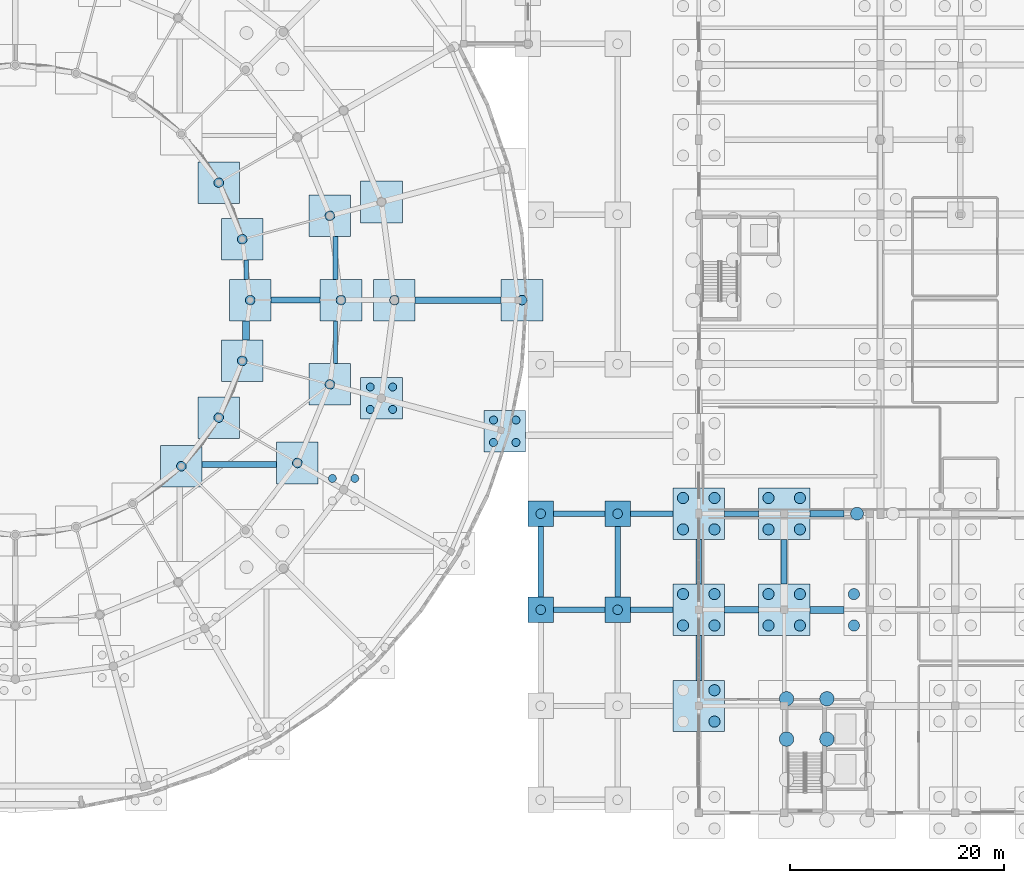
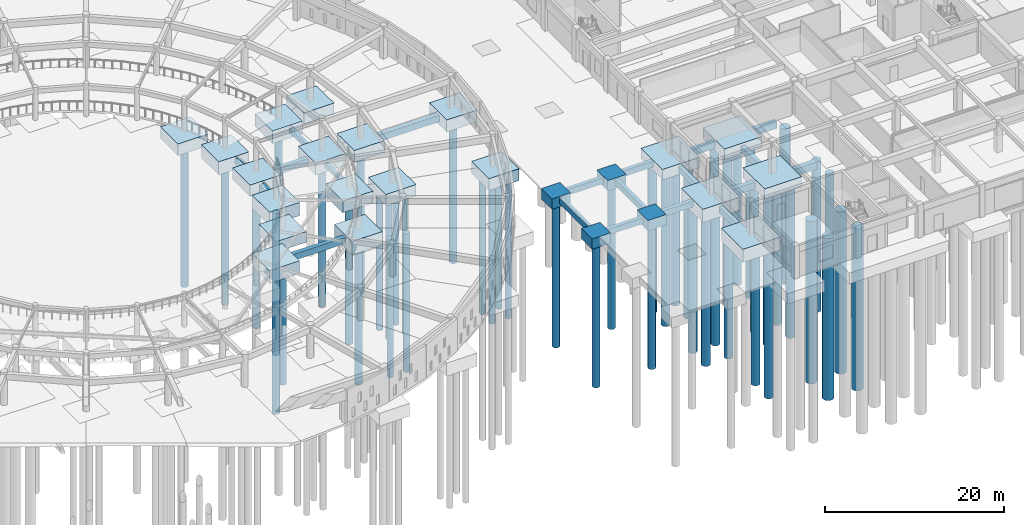
# One storey, part 3 of 84: 51 piles, 44 footings.
"""IFC4 building model written with IfcOpenShell, lengths in metres."""

import ifcopenshell
import ifcopenshell.guid

model = None  # the IFC model being written
_history = None  # IfcOwnerHistory: only IFC2X3 demands one
_inside = {}  # id of a spatial element -> (the spatial element, [elements in it])
_under = {}  # id of a project, library or spatial element -> (it, [spatial elements below it])
_declared = {}  # id of a project -> (the project, [libraries it declares])
_typed = {}  # id of a type object -> (the type object, [elements of that type])
_made_of = {}  # id of a material, layer set ... -> (it, [elements and type objects made of it])


def new_model(schema):
    """Start an empty IFC model of exactly this schema.

    Asked for "IFC4X3", IfcOpenShell would pick the latest addendum, in which some entities
    have other attributes; the version numbers below select the first issue.
    IFC2X3 requires an IfcOwnerHistory on every rooted entity: one is made here for all.
    """
    global model, _history
    if schema == "IFC4X3":
        model = ifcopenshell.file(schema_version=(4, 3, 0, 0))
    else:
        model = ifcopenshell.file(schema=schema)
    _inside.clear()
    _under.clear()
    _declared.clear()
    _typed.clear()
    _made_of.clear()
    _history = None
    if model.schema == "IFC2X3":
        org = make("IfcOrganization", Name="unknown")
        user = make(
            "IfcPersonAndOrganization",
            ThePerson=make("IfcPerson", FamilyName="unknown"),
            TheOrganization=org,
        )
        app = make(
            "IfcApplication",
            ApplicationDeveloper=org,
            Version="unknown",
            ApplicationFullName="unknown",
            ApplicationIdentifier="unknown",
        )
        _history = make(
            "IfcOwnerHistory",
            OwningUser=user,
            OwningApplication=app,
            ChangeAction="ADDED",
            CreationDate=0,
        )
    return model


def make(cls, **values):
    """One entity of the class cls with the attributes given. An attribute that is None is left unset."""
    return model.create_entity(
        cls, **{name: value for name, value in values.items() if value is not None}
    )


def rooted(cls, **values):
    """An entity with a GlobalId (a new one), such as an element, a storey or a relation."""
    return make(cls, GlobalId=ifcopenshell.guid.new(), OwnerHistory=_history, **values)


def si_unit(unit_type, name, prefix=None):
    """IfcSIUnit, for example si_unit("LENGTHUNIT", "METRE", prefix="MILLI")."""
    return make("IfcSIUnit", UnitType=unit_type, Prefix=prefix, Name=name)


def assignment(units):
    """IfcUnitAssignment: the units of a project."""
    return None if units is None else make("IfcUnitAssignment", Units=units)


def point(xyz):
    """IfcCartesianPoint."""
    return None if xyz is None else make("IfcCartesianPoint", Coordinates=xyz)


def direction(xyz):
    """IfcDirection."""
    return None if xyz is None else make("IfcDirection", DirectionRatios=xyz)


def frame(location, z_axis=None, x_axis=None):
    """IfcAxis2Placement3D, a coordinate frame: its origin and axes. An axis left out is left unset."""
    return make(
        "IfcAxis2Placement3D",
        Location=point(location),
        Axis=direction(z_axis),
        RefDirection=direction(x_axis),
    )


def frame_2d(location, x_axis=None):
    """IfcAxis2Placement2D, a coordinate frame in the plane: its origin and x axis."""
    return make(
        "IfcAxis2Placement2D", Location=point(location), RefDirection=direction(x_axis)
    )


def origin():
    """The frame at (0, 0, 0) with its axes left unset."""
    return frame((0.0, 0.0, 0.0))


def origin_2d():
    """The frame at (0, 0) in the plane with its x axis left unset."""
    return frame_2d((0.0, 0.0))


def place(relative_to, where):
    """IfcLocalPlacement: puts the frame where relative to a parent placement (None: the world)."""
    return make(
        "IfcLocalPlacement", PlacementRelTo=relative_to, RelativePlacement=where
    )


def context(
    kind, dimensions, precision=None, world=None, true_north=None, identifier=None
):
    """IfcGeometricRepresentationContext, for example the 3D "Model" context."""
    return make(
        "IfcGeometricRepresentationContext",
        ContextIdentifier=identifier,
        ContextType=kind,
        CoordinateSpaceDimension=dimensions,
        Precision=precision,
        WorldCoordinateSystem=world,
        TrueNorth=true_north,
    )


def subcontext(parent, identifier, kind, view, scale=None):
    """IfcGeometricRepresentationSubContext, for example "Body" below "Model"."""
    return make(
        "IfcGeometricRepresentationSubContext",
        ContextIdentifier=identifier,
        ContextType=kind,
        ParentContext=parent,
        TargetScale=scale,
        TargetView=view,
    )


def project(units=None, contexts=None):
    """IfcProject with its units and contexts."""
    return rooted(
        "IfcProject",
        Name="project",
        RepresentationContexts=contexts,
        UnitsInContext=assignment(units),
    )


def spatial(cls, under=None, at=None, **own):
    """A site, building, storey or space (cls), placed at a placement, below another one or the project."""
    s = rooted(cls, ObjectPlacement=at, **own)
    if under is not None:
        _under.setdefault(under.id(), (under, []))[1].append(s)
    return s


def profile(cls, at=None, kind="AREA", **sizes):
    """A parametric profile (cls). Its sizes go by their IFC names, for example OverallWidth=200.0."""
    return make(cls, ProfileType=kind, Position=at, **sizes)


def rectangle(**sizes):
    """IfcRectangleProfileDef."""
    return profile("IfcRectangleProfileDef", **sizes)


def circle(**sizes):
    """IfcCircleProfileDef."""
    return profile("IfcCircleProfileDef", **sizes)


def extrude(swept, where, along, depth):
    """IfcExtrudedAreaSolid: the profile swept, set in the frame where, extruded along a direction by depth."""
    return make(
        "IfcExtrudedAreaSolid",
        SweptArea=swept,
        Position=where,
        ExtrudedDirection=direction(along),
        Depth=depth,
    )


def shape(context_of_items, identifier, shape_type, items):
    """IfcShapeRepresentation: the items that make up one representation, for example the "Body"."""
    return make(
        "IfcShapeRepresentation",
        ContextOfItems=context_of_items,
        RepresentationIdentifier=identifier,
        RepresentationType=shape_type,
        Items=items,
    )


def material(Name=None, Category=None):
    """IfcMaterial."""
    return make("IfcMaterial", Name=Name, Category=Category)


def material_profile(
    of_material, cross_section, Name=None, Category=None, Priority=None
):
    """IfcMaterialProfile: a cross section and its material."""
    return make(
        "IfcMaterialProfile",
        Name=Name,
        Material=of_material,
        Profile=cross_section,
        Priority=Priority,
        Category=Category,
    )


def profile_set(profiles, Name=None, composite=None):
    """IfcMaterialProfileSet."""
    return make(
        "IfcMaterialProfileSet",
        Name=Name,
        MaterialProfiles=profiles,
        CompositeProfile=composite,
    )


def made_of(thing, what):
    """Note that an element or type object is made of a material, layer set ...; save() writes the relation."""
    if what is not None:
        _made_of.setdefault(what.id(), (what, []))[1].append(thing)
    return thing


def type_object(cls, material=None, **own):
    """A type object (cls), such as IfcWallType, which elements share."""
    return made_of(rooted(cls, **own), material)


def element(
    cls,
    number,
    at=None,
    inside=None,
    cuts=None,
    type_object=None,
    material=None,
    context=None,
    identifier="Body",
    shape_type=None,
    held_by="IfcProductDefinitionShape",
    body=None,
    shapes=None,
    **own,
):
    """One element of the class cls, such as IfcWall. Its Tag is "e" and its number.

    at: its placement. inside: the storey or other place that contains it. cuts: it is an
    opening in that element (IfcRelVoidsElement). A single representation is given by context,
    identifier, shape_type and body (its items); several are given by shapes. held_by: the class
    of the entity that holds the representations. save() writes the other relations.
    """
    e = rooted(cls, Tag="e%d" % number, ObjectPlacement=at, **own)
    if body is not None:
        shapes = [shape(context, identifier, shape_type, body)]
    if shapes is not None:
        e.Representation = make(held_by, Representations=shapes)
    if inside is not None:
        _inside.setdefault(inside.id(), (inside, []))[1].append(e)
    if cuts is not None:
        rooted(
            "IfcRelVoidsElement", RelatingBuildingElement=cuts, RelatedOpeningElement=e
        )
    if type_object is not None:
        _typed.setdefault(type_object.id(), (type_object, []))[1].append(e)
    return made_of(e, material)


def aggregate(whole, parts):
    """IfcRelAggregates: a whole, such as a stair, and the parts it consists of."""
    return rooted("IfcRelAggregates", RelatingObject=whole, RelatedObjects=parts)


def save(model, path):
    """Write the relations noted so far, then the file.

    IfcRelAggregates (storeys below a building ...), IfcRelContainedInSpatialStructure (elements
    in a storey), IfcRelDefinesByType, IfcRelAssociatesMaterial and IfcRelDeclares: one each for
    every whole, place, type object, material and project.
    """
    for whole, parts in _under.values():
        aggregate(whole, parts)
    for where, things in _inside.values():
        rooted(
            "IfcRelContainedInSpatialStructure",
            RelatedElements=things,
            RelatingStructure=where,
        )
    for kind, things in _typed.values():
        rooted("IfcRelDefinesByType", RelatedObjects=things, RelatingType=kind)
    for what, things in _made_of.values():
        rooted("IfcRelAssociatesMaterial", RelatedObjects=things, RelatingMaterial=what)
    for by, libraries in _declared.values():
        rooted("IfcRelDeclares", RelatingContext=by, RelatedDefinitions=libraries)
    model.write(path)


model = new_model("IFC4")

# Units and contexts
model_context = context("Model", 3, precision=1e-05, world=origin(), true_north=direction((0.0, 1.0)))
body_context = subcontext(model_context, "Body", "Model", "MODEL_VIEW")
ifc_project = project(units=[si_unit("LENGTHUNIT", "METRE"), si_unit("AREAUNIT", "SQUARE_METRE"), si_unit("VOLUMEUNIT", "CUBIC_METRE"), si_unit("PLANEANGLEUNIT", "RADIAN"), si_unit("MASSUNIT", "GRAM", prefix="KILO")], contexts=[model_context])

# Site, building, storey
site_placement = place(None, origin())
site = spatial("IfcSite", under=ifc_project, at=site_placement, CompositionType="ELEMENT")
building_placement = place(site_placement, origin())
building = spatial("IfcBuilding", under=site, at=building_placement, Name="Larkveld Mobility Hub", CompositionType="ELEMENT")
storey_placement = place(building_placement, origin())
storey = spatial("IfcBuildingStorey", under=building, at=storey_placement, Name="L00", CompositionType="ELEMENT", Elevation=0.0)

# Footings
ifc_material = material(Name="Concrete C35/45", Category="concrete")
ifc_material_profile_1 = material_profile(ifc_material, rectangle(XDim=0.39990234375, YDim=0.60009765625, at=origin_2d()), Name="RC BM 400x600")
ifc_profile_set_1 = profile_set([ifc_material_profile_1], Name="Concrete C35/45")
footing_type_1 = type_object("IfcFootingType", Name="FT-FB01", PredefinedType="FOOTING_BEAM", material=ifc_profile_set_1)
footing_1_placement = place(storey_placement, frame((69.625, 49.949951171875, -0.64990234375), z_axis=(0.0, 1.0, 0.0), x_axis=(-1.0, 0.0, 0.0)))
element("IfcFooting", 1, at=footing_1_placement, inside=storey, type_object=footing_type_1, Name="Ground Tie Beam GB-127", PredefinedType="FOOTING_BEAM", context=body_context, shape_type="SweptSolid", body=[
    extrude(rectangle(XDim=0.39990234375, YDim=0.60009765625, at=origin_2d()), origin(), (0.0, 0.0, 1.0), 1.7939453125),
])
footing_2_placement = place(storey_placement, frame((77.98095703125, 42.055908203125, -0.64990234375), z_axis=(0.0, 1.0, 0.0), x_axis=(-1.0, 0.0, 0.0)))
element("IfcFooting", 2, at=footing_2_placement, inside=storey, type_object=footing_type_1, Name="Ground Tie Beam GB-133", PredefinedType="FOOTING_BEAM", context=body_context, shape_type="SweptSolid", body=[
    extrude(rectangle(XDim=0.39990234375, YDim=0.60009765625, at=origin_2d()), origin(), (0.0, 0.0, 1.0), 3.994140625),
])
ifc_material_profile_2 = material_profile(ifc_material, rectangle(XDim=0.449951171875, YDim=0.699951171875, at=origin_2d()), Name="RC BM 450x700")
ifc_profile_set_2 = profile_set([ifc_material_profile_2], Name="Concrete C35/45")
footing_type_2 = type_object("IfcFootingType", Name="FT-FB02", PredefinedType="FOOTING_BEAM", material=ifc_profile_set_2)
footing_3_placement = place(storey_placement, frame((77.98095703125, 49.949951171875, -0.699951171875), z_axis=(0.0, 1.0, 0.0), x_axis=(-1.0, 0.0, 0.0)))
element("IfcFooting", 3, at=footing_3_placement, inside=storey, type_object=footing_type_2, Name="Ground Tie Beam GB-134", PredefinedType="FOOTING_BEAM", context=body_context, shape_type="SweptSolid", body=[
    extrude(rectangle(XDim=0.449951171875, YDim=0.699951171875, at=origin_2d()), origin(), (0.0, 0.0, 1.0), 3.994140625),
])
ifc_material_profile_3 = material_profile(ifc_material, rectangle(XDim=0.5, YDim=0.800048828125, at=origin_2d()), Name="RC BM 500x800")
ifc_profile_set_3 = profile_set([ifc_material_profile_3], Name="Concrete C35/45")
footing_type_3 = type_object("IfcFootingType", Name="FT-FB03", PredefinedType="FOOTING_BEAM", material=ifc_profile_set_3)
footing_4_placement = place(storey_placement, frame((112.0, 12.39990234375, -0.75), z_axis=(0.0, 1.0, 0.0), x_axis=(-1.0, 0.0, 0.0)))
element("IfcFooting", 4, at=footing_4_placement, inside=storey, type_object=footing_type_3, Name="Ground Tie Beam GB-141", PredefinedType="FOOTING_BEAM", context=body_context, shape_type="SweptSolid", body=[
    extrude(rectangle(XDim=0.5, YDim=0.800048828125, at=origin_2d()), origin(), (0.0, 0.0, 1.0), 4.2001953125),
])
footing_5_placement = place(storey_placement, frame((98.39990234375, 19.0, -0.580078125), z_axis=(1.0, 0.0, 0.0), x_axis=(0.0, 1.0, 0.0)))
element("IfcFooting", 5, at=footing_5_placement, inside=storey, type_object=footing_type_3, Name="Passage Ground Tie Beam PGB-004", PredefinedType="FOOTING_BEAM", context=body_context, shape_type="SweptSolid", body=[
    extrude(rectangle(XDim=0.5, YDim=0.800048828125, at=origin_2d()), origin(), (0.0, 0.0, 1.0), 4.800048828125),
])
footing_6_placement = place(storey_placement, frame((105.60009765625, 19.0, -0.580078125), z_axis=(1.0, 0.0, 0.0), x_axis=(0.0, 1.0, 0.0)))
element("IfcFooting", 6, at=footing_6_placement, inside=storey, type_object=footing_type_3, Name="Passage Ground Tie Beam PGB-005", PredefinedType="FOOTING_BEAM", context=body_context, shape_type="SweptSolid", body=[
    extrude(rectangle(XDim=0.5, YDim=0.800048828125, at=origin_2d()), origin(), (0.0, 0.0, 1.0), 4.0),
])
footing_7_placement = place(storey_placement, frame((98.39990234375, 28.0, -0.580078125), z_axis=(1.0, 0.0, 0.0), x_axis=(0.0, 1.0, 0.0)))
element("IfcFooting", 7, at=footing_7_placement, inside=storey, type_object=footing_type_3, Name="Passage Ground Tie Beam PGB-006", PredefinedType="FOOTING_BEAM", context=body_context, shape_type="SweptSolid", body=[
    extrude(rectangle(XDim=0.5, YDim=0.800048828125, at=origin_2d()), origin(), (0.0, 0.0, 1.0), 4.800048828125),
])
footing_8_placement = place(storey_placement, frame((105.60009765625, 28.0, -0.580078125), z_axis=(1.0, 0.0, 0.0), x_axis=(0.0, 1.0, 0.0)))
element("IfcFooting", 8, at=footing_8_placement, inside=storey, type_object=footing_type_3, Name="Passage Ground Tie Beam PGB-007", PredefinedType="FOOTING_BEAM", context=body_context, shape_type="SweptSolid", body=[
    extrude(rectangle(XDim=0.5, YDim=0.800048828125, at=origin_2d()), origin(), (0.0, 0.0, 1.0), 4.0),
])
for number, where, z_axis, x_axis, name in (
    (9, (97.199951171875, 20.199951171875, -0.580078125), (0.0, 1.0, 0.0), (-1.0, 0.0, 0.0), "Passage Ground Tie Beam PGB-022"),
    (10, (104.39990234375, 20.199951171875, -0.580078125), (0.0, 1.0, 0.0), (-1.0, 0.0, 0.0), "Passage Ground Tie Beam PGB-025"),
):
    element("IfcFooting", number, at=place(storey_placement, frame(where, z_axis=z_axis, x_axis=x_axis)), inside=storey, type_object=footing_type_3, Name=name, PredefinedType="FOOTING_BEAM", context=body_context, shape_type="SweptSolid", body=[
        extrude(rectangle(XDim=0.5, YDim=0.800048828125, at=origin_2d()), origin(), (0.0, 0.0, 1.0), 6.60009765625),
    ])
ifc_material_profile_4 = material_profile(ifc_material, rectangle(XDim=0.550048828125, YDim=0.85009765625, at=origin_2d()), Name="RC BM 550x850")
ifc_profile_set_4 = profile_set([ifc_material_profile_4], Name="Concrete C35/45")
footing_type_4 = type_object("IfcFootingType", Name="FT-FB04", PredefinedType="FOOTING_BEAM", material=ifc_profile_set_4)
footing_9_placement = place(storey_placement, frame((114.39990234375, 28.0, -0.77490234375), z_axis=(1.0, 0.0, 0.0), x_axis=(0.0, 1.0, 0.0)))
element("IfcFooting", 11, at=footing_9_placement, inside=storey, type_object=footing_type_4, Name="Ground Tie Beam GB-022", PredefinedType="FOOTING_BEAM", context=body_context, shape_type="SweptSolid", body=[
    extrude(rectangle(XDim=0.550048828125, YDim=0.85009765625, at=origin_2d()), origin(), (0.0, 0.0, 1.0), 3.2001953125),
])
footing_10_placement = place(storey_placement, frame((65.506103515625, 32.596923828125, -0.77490234375), z_axis=(1.0, 0.0, 0.0), x_axis=(0.0, 1.0, 0.0)))
element("IfcFooting", 12, at=footing_10_placement, inside=storey, type_object=footing_type_4, Name="Ground Tie Beam GB-028", PredefinedType="FOOTING_BEAM", context=body_context, shape_type="SweptSolid", body=[
    extrude(rectangle(XDim=0.550048828125, YDim=0.85009765625, at=origin_2d()), origin(), (0.0, 0.0, 1.0), 6.9580078125),
])
footing_11_placement = place(storey_placement, frame((71.949951171875, 48.0, -0.77490234375), z_axis=(1.0, 0.0, 0.0), x_axis=(0.0, 1.0, 0.0)))
element("IfcFooting", 13, at=footing_11_placement, inside=storey, type_object=footing_type_4, Name="Ground Tie Beam GB-034", PredefinedType="FOOTING_BEAM", context=body_context, shape_type="SweptSolid", body=[
    extrude(rectangle(XDim=0.550048828125, YDim=0.85009765625, at=origin_2d()), origin(), (0.0, 0.0, 1.0), 4.60009765625),
])
for number, where, z_axis, x_axis, name in (
    (14, (112.0, 21.39990234375, -0.77490234375), (0.0, 1.0, 0.0), (-1.0, 0.0, 0.0), "Ground Tie Beam GB-142"),
    (15, (120.0, 21.39990234375, -0.77490234375), (0.0, 1.0, 0.0), (-1.0, 0.0, 0.0), "Ground Tie Beam GB-154"),
):
    element("IfcFooting", number, at=place(storey_placement, frame(where, z_axis=z_axis, x_axis=x_axis)), inside=storey, type_object=footing_type_4, Name=name, PredefinedType="FOOTING_BEAM", context=body_context, shape_type="SweptSolid", body=[
        extrude(rectangle(XDim=0.550048828125, YDim=0.85009765625, at=origin_2d()), origin(), (0.0, 0.0, 1.0), 4.2001953125),
    ])
ifc_material_profile_5 = material_profile(ifc_material, rectangle(XDim=0.60009765625, YDim=0.89990234375, at=origin_2d()), Name="RC BM 600x900")
ifc_profile_set_5 = profile_set([ifc_material_profile_5], Name="Concrete C35/45")
footing_type_5 = type_object("IfcFootingType", Name="FT-FB05", PredefinedType="FOOTING_BEAM", material=ifc_profile_set_5)
for number, where, z_axis, x_axis, name in (
    (16, (114.39990234375, 19.0, -0.800048828125), (1.0, 0.0, 0.0), (0.0, 1.0, 0.0), "Ground Tie Beam GB-011"),
    (17, (122.39990234375, 28.0, -0.800048828125), (1.0, 0.0, 0.0), (0.0, 1.0, 0.0), "Ground Tie Beam GB-023"),
):
    element("IfcFooting", number, at=place(storey_placement, frame(where, z_axis=z_axis, x_axis=x_axis)), inside=storey, type_object=footing_type_5, Name=name, PredefinedType="FOOTING_BEAM", context=body_context, shape_type="SweptSolid", body=[
        extrude(rectangle(XDim=0.60009765625, YDim=0.89990234375, at=origin_2d()), origin(), (0.0, 0.0, 1.0), 3.2001953125),
    ])
footing_12_placement = place(storey_placement, frame((85.449951171875, 48.0, -0.800048828125), z_axis=(1.0, 0.0, 0.0), x_axis=(0.0, 1.0, 0.0)))
element("IfcFooting", 18, at=footing_12_placement, inside=storey, type_object=footing_type_5, Name="Ground Tie Beam GB-035", PredefinedType="FOOTING_BEAM", context=body_context, shape_type="SweptSolid", body=[
    extrude(rectangle(XDim=0.60009765625, YDim=0.89990234375, at=origin_2d()), origin(), (0.0, 0.0, 1.0), 8.050048828125),
])
ifc_material_profile_6 = material_profile(ifc_material, rectangle(XDim=0.64990234375, YDim=1.0, at=origin_2d()), Name="RC BM 650x1000")
ifc_profile_set_6 = profile_set([ifc_material_profile_6], Name="Concrete C35/45")
footing_type_6 = type_object("IfcFootingType", Name="FT-FB06", PredefinedType="FOOTING_BEAM", material=ifc_profile_set_6)
footing_13_placement = place(storey_placement, frame((122.39990234375, 19.0, -0.85009765625), z_axis=(1.0, 0.0, 0.0), x_axis=(0.0, 1.0, 0.0)))
element("IfcFooting", 19, at=footing_13_placement, inside=storey, type_object=footing_type_6, Name="Ground Tie Beam GB-012", PredefinedType="FOOTING_BEAM", context=body_context, shape_type="SweptSolid", body=[
    extrude(rectangle(XDim=0.64990234375, YDim=1.0, at=origin_2d()), origin(), (0.0, 0.0, 1.0), 3.2001953125),
])
footing_14_placement = place(storey_placement, frame((69.625, 44.256103515625, -0.85009765625), z_axis=(0.0, 1.0, 0.0), x_axis=(-1.0, 0.0, 0.0)))
element("IfcFooting", 20, at=footing_14_placement, inside=storey, type_object=footing_type_6, Name="Ground Tie Beam GB-126", PredefinedType="FOOTING_BEAM", context=body_context, shape_type="SweptSolid", body=[
    extrude(rectangle(XDim=0.64990234375, YDim=1.0, at=origin_2d()), origin(), (0.0, 0.0, 1.0), 1.7939453125),
])
footing_type_7 = type_object("IfcFootingType", Name="FT-PC02", PredefinedType="PILE_CAP", material=ifc_material)
footing_15_placement = place(storey_placement, frame((67.052978515625, 37.0, -1.4501953125), z_axis=(0.0, 0.0, 1.0), x_axis=(1.0, 0.0, 0.0)))
element("IfcFooting", 21, at=footing_15_placement, inside=storey, type_object=footing_type_7, Name="Pile Cap PC-066", PredefinedType="PILE_CAP", context=body_context, shape_type="SweptSolid", body=[
    extrude(rectangle(XDim=3.89990234375, YDim=3.89990234375, at=origin_2d()), origin(), (0.0, 0.0, 1.0), 1.449951171875),
])
footing_type_8 = type_object("IfcFootingType", Name="FT-PC03", PredefinedType="PILE_CAP", material=ifc_material)
footing_16_placement = place(storey_placement, frame((82.2900390625, 57.18798828125, -1.5), z_axis=(0.0, 0.0, 1.0), x_axis=(1.0, 0.0, 0.0)))
element("IfcFooting", 22, at=footing_16_placement, inside=storey, type_object=footing_type_8, Name="Pile Cap PC-099", PredefinedType="PILE_CAP", context=body_context, shape_type="SweptSolid", body=[
    extrude(rectangle(XDim=3.89990234375, YDim=3.89990234375, at=origin_2d()), origin(), (0.0, 0.0, 1.0), 1.5),
])
footing_type_9 = type_object("IfcFootingType", Name="FT-PC04", PredefinedType="PILE_CAP", material=ifc_material)
for number, where, z_axis, x_axis, name in (
    (23, (82.2900390625, 38.81201171875, -1.5498046875), (0.0, 0.0, 1.0), (1.0, 0.0, 0.0), "Pile Cap PC-068"),
    (24, (70.0, 48.0, -1.5498046875), (0.0, 0.0, 1.0), (1.0, 0.0, 0.0), "Pile Cap PC-084"),
):
    element("IfcFooting", number, at=place(storey_placement, frame(where, z_axis=z_axis, x_axis=x_axis)), inside=storey, type_object=footing_type_9, Name=name, PredefinedType="PILE_CAP", context=body_context, shape_type="SweptSolid", body=[
        extrude(rectangle(XDim=3.89990234375, YDim=3.89990234375, at=origin_2d()), origin(), (0.0, 0.0, 1.0), 1.550048828125),
    ])
footing_type_10 = type_object("IfcFootingType", Name="FT-PC05", PredefinedType="PILE_CAP", material=ifc_material)
for number, where, z_axis, x_axis, name in (
    (25, (78.5, 48.0, -1.60009765625), (0.0, 0.0, 1.0), (1.0, 0.0, 0.0), "Pile Cap PC-085"),
    (26, (67.052978515625, 59.0, -1.60009765625), (0.0, 0.0, 1.0), (1.0, 0.0, 0.0), "Pile Cap PC-101"),
):
    element("IfcFooting", number, at=place(storey_placement, frame(where, z_axis=z_axis, x_axis=x_axis)), inside=storey, type_object=footing_type_10, Name=name, PredefinedType="PILE_CAP", context=body_context, shape_type="SweptSolid", body=[
        extrude(rectangle(XDim=3.89990234375, YDim=3.89990234375, at=origin_2d()), origin(), (0.0, 0.0, 1.0), 1.60009765625),
    ])
footing_type_11 = type_object("IfcFootingType", Name="FT-PC06", PredefinedType="PILE_CAP", material=ifc_material)
for number, where, z_axis, x_axis, name in (
    (27, (77.4609375, 40.10595703125, -1.60009765625), (0.0, 0.0, 1.0), (1.0, 0.0, 0.0), "Pile Cap PC-070"),
    (28, (83.5, 48.0, -1.60009765625), (0.0, 0.0, 1.0), (1.0, 0.0, 0.0), "Pile Cap PC-086"),
):
    element("IfcFooting", number, at=place(storey_placement, frame(where, z_axis=z_axis, x_axis=x_axis)), inside=storey, type_object=footing_type_11, Name=name, PredefinedType="PILE_CAP", context=body_context, shape_type="SweptSolid", body=[
        extrude(rectangle(XDim=3.89990234375, YDim=3.89990234375, at=origin_2d()), origin(), (0.0, 0.0, 1.0), 1.60009765625),
    ])
footing_type_12 = type_object("IfcFootingType", Name="FT-PC07", PredefinedType="PILE_CAP", material=ifc_material)
footing_17_placement = place(storey_placement, frame((95.449951171875, 48.0, -1.64990234375), z_axis=(0.0, 0.0, 1.0), x_axis=(1.0, 0.0, 0.0)))
element("IfcFooting", 29, at=footing_17_placement, inside=storey, type_object=footing_type_12, Name="Pile Cap PC-087", PredefinedType="PILE_CAP", context=body_context, shape_type="SweptSolid", body=[
    extrude(rectangle(XDim=3.89990234375, YDim=3.89990234375, at=origin_2d()), origin(), (0.0, 0.0, 1.0), 1.64990234375),
])
footing_type_13 = type_object("IfcFootingType", Name="FT-PC10", PredefinedType="PILE_CAP", material=ifc_material)
footing_18_placement = place(storey_placement, frame((63.555908203125, 32.444091796875, -1.75), z_axis=(0.0, 0.0, 1.0), x_axis=(1.0, 0.0, 0.0)))
element("IfcFooting", 30, at=footing_18_placement, inside=storey, type_object=footing_type_13, Name="Pile Cap PC-058", PredefinedType="PILE_CAP", context=body_context, shape_type="SweptSolid", body=[
    extrude(rectangle(XDim=3.89990234375, YDim=3.89990234375, at=origin_2d()), origin(), (0.0, 0.0, 1.0), 1.75),
])
footing_type_14 = type_object("IfcFootingType", Name="FT-PC12", PredefinedType="PILE_CAP", material=ifc_material)
for number, where, z_axis, x_axis, name in (
    (31, (112.0, 10.0, -1.7998046875), (0.0, 0.0, 1.0), (1.0, 0.0, 0.0), "Pile Cap PC-012"),
    (32, (112.0, 19.0, -1.7998046875), (0.0, 0.0, 1.0), (1.0, 0.0, 0.0), "Pile Cap PC-028"),
):
    element("IfcFooting", number, at=place(storey_placement, frame(where, z_axis=z_axis, x_axis=x_axis)), inside=storey, type_object=footing_type_14, Name=name, PredefinedType="PILE_CAP", context=body_context, shape_type="SweptSolid", body=[
        extrude(rectangle(XDim=4.800048828125, YDim=4.800048828125, at=origin_2d()), origin(), (0.0, 0.0, 1.0), 1.800048828125),
    ])
for number, where, z_axis, x_axis, name in (
    (33, (74.4140625, 32.75, -1.7998046875), (0.0, 0.0, 1.0), (1.0, 0.0, 0.0), "Pile Cap PC-060"),
    (34, (69.25, 42.305908203125, -1.7998046875), (0.0, 0.0, 1.0), (1.0, 0.0, 0.0), "Pile Cap PC-076"),
    (35, (69.25, 53.694091796875, -1.7998046875), (0.0, 0.0, 1.0), (1.0, 0.0, 0.0), "Pile Cap PC-092"),
):
    element("IfcFooting", number, at=place(storey_placement, frame(where, z_axis=z_axis, x_axis=x_axis)), inside=storey, type_object=footing_type_14, Name=name, PredefinedType="PILE_CAP", context=body_context, shape_type="SweptSolid", body=[
        extrude(rectangle(XDim=3.89990234375, YDim=3.89990234375, at=origin_2d()), origin(), (0.0, 0.0, 1.0), 1.800048828125),
    ])
footing_type_15 = type_object("IfcFootingType", Name="FT-PC13", PredefinedType="PILE_CAP", material=ifc_material)
for number, where, z_axis, x_axis, name in (
    (36, (120.0, 19.0, -1.419921875), (0.0, 0.0, 1.0), (1.0, 0.0, 0.0), "Pile Cap PC-029"),
    (37, (112.0, 28.0, -1.419921875), (0.0, 0.0, 1.0), (1.0, 0.0, 0.0), "Pile Cap PC-045"),
):
    element("IfcFooting", number, at=place(storey_placement, frame(where, z_axis=z_axis, x_axis=x_axis)), inside=storey, type_object=footing_type_15, Name=name, PredefinedType="PILE_CAP", context=body_context, shape_type="SweptSolid", body=[
        extrude(rectangle(XDim=4.800048828125, YDim=4.800048828125, at=origin_2d()), origin(), (0.0, 0.0, 1.0), 1.419921875),
    ])
for number, where, z_axis, x_axis, name in (
    (38, (97.199951171875, 19.0, -1.419921875), (0.0, 0.0, 1.0), (1.0, 0.0, 0.0), "Plinth Pile Cap PC-DL10"),
    (39, (104.39990234375, 19.0, -1.419921875), (0.0, 0.0, 1.0), (1.0, 0.0, 0.0), "Plinth Pile Cap PC-DL11"),
    (40, (97.199951171875, 28.0, -1.419921875), (0.0, 0.0, 1.0), (1.0, 0.0, 0.0), "Plinth Pile Cap PC-DL12"),
    (41, (104.39990234375, 28.0, -1.419921875), (0.0, 0.0, 1.0), (1.0, 0.0, 0.0), "Plinth Pile Cap PC-DL13"),
):
    element("IfcFooting", number, at=place(storey_placement, frame(where, z_axis=z_axis, x_axis=x_axis)), inside=storey, type_object=footing_type_15, Name=name, PredefinedType="PILE_CAP", context=body_context, shape_type="SweptSolid", body=[
        extrude(rectangle(XDim=2.39990234375, YDim=2.39990234375, at=origin_2d()), origin(), (0.0, 0.0, 1.0), 1.419921875),
    ])
footing_type_16 = type_object("IfcFootingType", Name="FT-PC14", PredefinedType="PILE_CAP", material=ifc_material)
footing_19_placement = place(storey_placement, frame((120.0, 28.0, -1.47998046875), z_axis=(0.0, 0.0, 1.0), x_axis=(1.0, 0.0, 0.0)))
element("IfcFooting", 42, at=footing_19_placement, inside=storey, type_object=footing_type_16, Name="Pile Cap PC-046", PredefinedType="PILE_CAP", context=body_context, shape_type="SweptSolid", body=[
    extrude(rectangle(XDim=4.800048828125, YDim=4.800048828125, at=origin_2d()), origin(), (0.0, 0.0, 1.0), 1.47998046875),
])
footing_type_17 = type_object("IfcFootingType", Name="FT-PC15", PredefinedType="PILE_CAP", material=ifc_material)
footing_20_placement = place(storey_placement, frame((93.8330078125, 35.718994140625, -1.6201171875), z_axis=(0.0, 0.0, 1.0), x_axis=(1.0, 0.0, 0.0)))
element("IfcFooting", 43, at=footing_20_placement, inside=storey, type_object=footing_type_17, Name="Pile Cap PC-063", PredefinedType="PILE_CAP", context=body_context, shape_type="SweptSolid", body=[
    extrude(rectangle(XDim=3.89990234375, YDim=3.89990234375, at=origin_2d()), origin(), (0.0, 0.0, 1.0), 1.6201171875),
])
footing_type_18 = type_object("IfcFootingType", Name="FT-PC16", PredefinedType="PILE_CAP", material=ifc_material)
footing_21_placement = place(storey_placement, frame((77.4609375, 55.89404296875, -1.72021484375), z_axis=(0.0, 0.0, 1.0), x_axis=(1.0, 0.0, 0.0)))
element("IfcFooting", 44, at=footing_21_placement, inside=storey, type_object=footing_type_18, Name="Pile Cap PC-096", PredefinedType="PILE_CAP", context=body_context, shape_type="SweptSolid", body=[
    extrude(rectangle(XDim=3.89990234375, YDim=3.89990234375, at=origin_2d()), origin(), (0.0, 0.0, 1.0), 1.719970703125),
])

# Piles
ifc_material_profile_7 = material_profile(ifc_material, circle(Radius=0.375, at=origin_2d()), Name="PILE D750")
ifc_profile_set_7 = profile_set([ifc_material_profile_7], Name="Concrete C35/45")
pile_type_1 = type_object("IfcPileType", Name="PL-B0750", PredefinedType="BORED", material=ifc_profile_set_7)
for number, where, z_axis, x_axis, name in (
    (45, (77.694091796875, 31.300048828125, -1.60009765625), (0.0, 0.0, -1.0), (1.0, 0.0, 0.0), "Bored Pile P-0188"),
    (46, (79.7939453125, 31.300048828125, -1.60009765625), (0.0, 0.0, -1.0), (1.0, 0.0, 0.0), "Bored Pile P-0190"),
):
    element("IfcPile", number, at=place(storey_placement, frame(where, z_axis=z_axis, x_axis=x_axis)), inside=storey, type_object=pile_type_1, Name=name, PredefinedType="BORED", context=body_context, shape_type="SweptSolid", body=[
        extrude(circle(Radius=0.375, at=origin_2d()), origin(), (0.0, 0.0, 1.0), 18.89990234375),
    ])
for number, where, z_axis, x_axis, name in (
    (47, (92.782958984375, 34.6689453125, -1.52001953125), (0.0, 0.0, -1.0), (1.0, 0.0, 0.0), "Bored Pile P-0203"),
    (48, (92.782958984375, 36.76904296875, -1.52001953125), (0.0, 0.0, -1.0), (1.0, 0.0, 0.0), "Bored Pile P-0204"),
    (49, (94.883056640625, 34.6689453125, -1.52001953125), (0.0, 0.0, -1.0), (1.0, 0.0, 0.0), "Bored Pile P-0205"),
    (50, (94.883056640625, 36.76904296875, -1.52001953125), (0.0, 0.0, -1.0), (1.0, 0.0, 0.0), "Bored Pile P-0206"),
):
    element("IfcPile", number, at=place(storey_placement, frame(where, z_axis=z_axis, x_axis=x_axis)), inside=storey, type_object=pile_type_1, Name=name, PredefinedType="BORED", context=body_context, shape_type="SweptSolid", body=[
        extrude(circle(Radius=0.375, at=origin_2d()), origin(), (0.0, 0.0, 1.0), 18.97998046875),
    ])
for number, where, z_axis, x_axis, name in (
    (51, (81.239990234375, 37.761962890625, -1.449951171875), (0.0, 0.0, -1.0), (1.0, 0.0, 0.0), "Bored Pile P-0214"),
    (52, (81.239990234375, 39.862060546875, -1.449951171875), (0.0, 0.0, -1.0), (1.0, 0.0, 0.0), "Bored Pile P-0215"),
    (53, (83.340087890625, 37.761962890625, -1.449951171875), (0.0, 0.0, -1.0), (1.0, 0.0, 0.0), "Bored Pile P-0216"),
    (54, (83.340087890625, 39.862060546875, -1.449951171875), (0.0, 0.0, -1.0), (1.0, 0.0, 0.0), "Bored Pile P-0217"),
):
    element("IfcPile", number, at=place(storey_placement, frame(where, z_axis=z_axis, x_axis=x_axis)), inside=storey, type_object=pile_type_1, Name=name, PredefinedType="BORED", context=body_context, shape_type="SweptSolid", body=[
        extrude(circle(Radius=0.375, at=origin_2d()), origin(), (0.0, 0.0, 1.0), 19.050048828125),
    ])
ifc_material_profile_8 = material_profile(ifc_material, circle(Radius=0.449951171875, at=origin_2d()), Name="PILE D900")
ifc_profile_set_8 = profile_set([ifc_material_profile_8], Name="Concrete C35/45")
pile_type_2 = type_object("IfcPileType", Name="PL-B0900", PredefinedType="BORED", material=ifc_profile_set_8)
pile_1_placement = place(storey_placement, frame((63.555908203125, 32.444091796875, -1.64990234375), z_axis=(0.0, 0.0, -1.0), x_axis=(1.0, 0.0, 0.0)))
element("IfcPile", 55, at=pile_1_placement, inside=storey, type_object=pile_type_2, Name="Bored Pile P-0192", PredefinedType="BORED", context=body_context, shape_type="SweptSolid", body=[
    extrude(circle(Radius=0.449951171875, at=origin_2d()), origin(), (0.0, 0.0, 1.0), 19.550048828125),
])
pile_2_placement = place(storey_placement, frame((74.4140625, 32.75, -1.699951171875), z_axis=(0.0, 0.0, -1.0), x_axis=(1.0, 0.0, 0.0)))
element("IfcPile", 56, at=pile_2_placement, inside=storey, type_object=pile_type_2, Name="Bored Pile P-0194", PredefinedType="BORED", context=body_context, shape_type="SweptSolid", body=[
    extrude(circle(Radius=0.449951171875, at=origin_2d()), origin(), (0.0, 0.0, 1.0), 19.5),
])
pile_3_placement = place(storey_placement, frame((67.052978515625, 37.0, -1.35009765625), z_axis=(0.0, 0.0, -1.0), x_axis=(1.0, 0.0, 0.0)))
element("IfcPile", 57, at=pile_3_placement, inside=storey, type_object=pile_type_2, Name="Bored Pile P-0209", PredefinedType="BORED", context=body_context, shape_type="SweptSolid", body=[
    extrude(circle(Radius=0.449951171875, at=origin_2d()), origin(), (0.0, 0.0, 1.0), 19.85009765625),
])
pile_4_placement = place(storey_placement, frame((77.4609375, 40.10595703125, -1.5), z_axis=(0.0, 0.0, -1.0), x_axis=(1.0, 0.0, 0.0)))
element("IfcPile", 58, at=pile_4_placement, inside=storey, type_object=pile_type_2, Name="Bored Pile P-0219", PredefinedType="BORED", context=body_context, shape_type="SweptSolid", body=[
    extrude(circle(Radius=0.449951171875, at=origin_2d()), origin(), (0.0, 0.0, 1.0), 19.699951171875),
])
pile_5_placement = place(storey_placement, frame((69.25, 42.305908203125, -1.699951171875), z_axis=(0.0, 0.0, -1.0), x_axis=(1.0, 0.0, 0.0)))
element("IfcPile", 59, at=pile_5_placement, inside=storey, type_object=pile_type_2, Name="Bored Pile P-0235", PredefinedType="BORED", context=body_context, shape_type="SweptSolid", body=[
    extrude(circle(Radius=0.449951171875, at=origin_2d()), origin(), (0.0, 0.0, 1.0), 19.5),
])
pile_6_placement = place(storey_placement, frame((70.0, 48.0, -1.449951171875), z_axis=(0.0, 0.0, -1.0), x_axis=(1.0, 0.0, 0.0)))
element("IfcPile", 60, at=pile_6_placement, inside=storey, type_object=pile_type_2, Name="Bored Pile P-0262", PredefinedType="BORED", context=body_context, shape_type="SweptSolid", body=[
    extrude(circle(Radius=0.449951171875, at=origin_2d()), origin(), (0.0, 0.0, 1.0), 19.75),
])
for number, where, z_axis, x_axis, name in (
    (61, (78.5, 48.0, -1.5), (0.0, 0.0, -1.0), (1.0, 0.0, 0.0), "Bored Pile P-0263"),
    (62, (83.5, 48.0, -1.5), (0.0, 0.0, -1.0), (1.0, 0.0, 0.0), "Bored Pile P-0264"),
):
    element("IfcPile", number, at=place(storey_placement, frame(where, z_axis=z_axis, x_axis=x_axis)), inside=storey, type_object=pile_type_2, Name=name, PredefinedType="BORED", context=body_context, shape_type="SweptSolid", body=[
        extrude(circle(Radius=0.449951171875, at=origin_2d()), origin(), (0.0, 0.0, 1.0), 19.699951171875),
    ])
pile_7_placement = place(storey_placement, frame((95.449951171875, 48.0, -1.550048828125), z_axis=(0.0, 0.0, -1.0), x_axis=(1.0, 0.0, 0.0)))
element("IfcPile", 63, at=pile_7_placement, inside=storey, type_object=pile_type_2, Name="Bored Pile P-0265", PredefinedType="BORED", context=body_context, shape_type="SweptSolid", body=[
    extrude(circle(Radius=0.449951171875, at=origin_2d()), origin(), (0.0, 0.0, 1.0), 19.64990234375),
])
pile_8_placement = place(storey_placement, frame((69.25, 53.694091796875, -1.699951171875), z_axis=(0.0, 0.0, -1.0), x_axis=(1.0, 0.0, 0.0)))
element("IfcPile", 64, at=pile_8_placement, inside=storey, type_object=pile_type_2, Name="Bored Pile P-0274", PredefinedType="BORED", context=body_context, shape_type="SweptSolid", body=[
    extrude(circle(Radius=0.449951171875, at=origin_2d()), origin(), (0.0, 0.0, 1.0), 19.5),
])
pile_9_placement = place(storey_placement, frame((77.4609375, 55.89404296875, -1.6201171875), z_axis=(0.0, 0.0, -1.0), x_axis=(1.0, 0.0, 0.0)))
element("IfcPile", 65, at=pile_9_placement, inside=storey, type_object=pile_type_2, Name="Bored Pile P-0296", PredefinedType="BORED", context=body_context, shape_type="SweptSolid", body=[
    extrude(circle(Radius=0.449951171875, at=origin_2d()), origin(), (0.0, 0.0, 1.0), 19.580078125),
])
pile_10_placement = place(storey_placement, frame((67.052978515625, 59.0, -1.5), z_axis=(0.0, 0.0, -1.0), x_axis=(1.0, 0.0, 0.0)))
element("IfcPile", 66, at=pile_10_placement, inside=storey, type_object=pile_type_2, Name="Bored Pile P-0304", PredefinedType="BORED", context=body_context, shape_type="SweptSolid", body=[
    extrude(circle(Radius=0.449951171875, at=origin_2d()), origin(), (0.0, 0.0, 1.0), 19.699951171875),
])
for number, where, z_axis, x_axis, name in (
    (67, (97.199951171875, 19.0, -1.320068359375), (0.0, 0.0, -1.0), (1.0, 0.0, 0.0), "Bored Pile P-DL10"),
    (68, (104.39990234375, 19.0, -1.320068359375), (0.0, 0.0, -1.0), (1.0, 0.0, 0.0), "Bored Pile P-DL11"),
    (69, (97.199951171875, 28.0, -1.320068359375), (0.0, 0.0, -1.0), (1.0, 0.0, 0.0), "Bored Pile P-DL12"),
    (70, (104.39990234375, 28.0, -1.320068359375), (0.0, 0.0, -1.0), (1.0, 0.0, 0.0), "Bored Pile P-DL13"),
):
    element("IfcPile", number, at=place(storey_placement, frame(where, z_axis=z_axis, x_axis=x_axis)), inside=storey, type_object=pile_type_2, Name=name, PredefinedType="BORED", context=body_context, shape_type="SweptSolid", body=[
        extrude(circle(Radius=0.449951171875, at=origin_2d()), origin(), (0.0, 0.0, 1.0), 19.8798828125),
    ])
ifc_material_profile_9 = material_profile(ifc_material, circle(Radius=0.52490234375, at=origin_2d()), Name="PILE D1050")
ifc_profile_set_9 = profile_set([ifc_material_profile_9], Name="Concrete C35/45")
pile_type_3 = type_object("IfcPileType", Name="PL-B1050", PredefinedType="BORED", material=ifc_profile_set_9)
for number, where, z_axis, x_axis, name in (
    (71, (113.469970703125, 8.530029296875, -1.699951171875), (0.0, 0.0, -1.0), (1.0, 0.0, 0.0), "Bored Pile P-0052"),
    (72, (113.469970703125, 11.469970703125, -1.699951171875), (0.0, 0.0, -1.0), (1.0, 0.0, 0.0), "Bored Pile P-0053"),
    (73, (110.530029296875, 17.530029296875, -1.699951171875), (0.0, 0.0, -1.0), (1.0, 0.0, 0.0), "Bored Pile P-0102"),
    (74, (110.530029296875, 20.469970703125, -1.699951171875), (0.0, 0.0, -1.0), (1.0, 0.0, 0.0), "Bored Pile P-0103"),
    (75, (113.469970703125, 17.530029296875, -1.699951171875), (0.0, 0.0, -1.0), (1.0, 0.0, 0.0), "Bored Pile P-0104"),
    (76, (113.469970703125, 20.469970703125, -1.699951171875), (0.0, 0.0, -1.0), (1.0, 0.0, 0.0), "Bored Pile P-0105"),
):
    element("IfcPile", number, at=place(storey_placement, frame(where, z_axis=z_axis, x_axis=x_axis)), inside=storey, type_object=pile_type_3, Name=name, PredefinedType="BORED", context=body_context, shape_type="SweptSolid", body=[
        extrude(circle(Radius=0.52490234375, at=origin_2d()), origin(), (0.0, 0.0, 1.0), 20.300048828125),
    ])
for number, where, z_axis, x_axis, name in (
    (77, (118.530029296875, 17.530029296875, -1.320068359375), (0.0, 0.0, -1.0), (1.0, 0.0, 0.0), "Bored Pile P-0106"),
    (78, (118.530029296875, 20.469970703125, -1.320068359375), (0.0, 0.0, -1.0), (1.0, 0.0, 0.0), "Bored Pile P-0107"),
    (79, (121.469970703125, 17.530029296875, -1.320068359375), (0.0, 0.0, -1.0), (1.0, 0.0, 0.0), "Bored Pile P-0108"),
    (80, (121.469970703125, 20.469970703125, -1.320068359375), (0.0, 0.0, -1.0), (1.0, 0.0, 0.0), "Bored Pile P-0109"),
):
    element("IfcPile", number, at=place(storey_placement, frame(where, z_axis=z_axis, x_axis=x_axis)), inside=storey, type_object=pile_type_3, Name=name, PredefinedType="BORED", context=body_context, shape_type="SweptSolid", body=[
        extrude(circle(Radius=0.52490234375, at=origin_2d()), origin(), (0.0, 0.0, 1.0), 20.679931640625),
    ])
for number, where, z_axis, x_axis, name in (
    (81, (126.530029296875, 17.530029296875, -1.3798828125), (0.0, 0.0, -1.0), (1.0, 0.0, 0.0), "Bored Pile P-0110"),
    (82, (126.530029296875, 20.469970703125, -1.3798828125), (0.0, 0.0, -1.0), (1.0, 0.0, 0.0), "Bored Pile P-0111"),
):
    element("IfcPile", number, at=place(storey_placement, frame(where, z_axis=z_axis, x_axis=x_axis)), inside=storey, type_object=pile_type_3, Name=name, PredefinedType="BORED", context=body_context, shape_type="SweptSolid", body=[
        extrude(circle(Radius=0.52490234375, at=origin_2d()), origin(), (0.0, 0.0, 1.0), 20.6201171875),
    ])
for number, where, z_axis, x_axis, name in (
    (83, (110.530029296875, 26.530029296875, -1.320068359375), (0.0, 0.0, -1.0), (1.0, 0.0, 0.0), "Bored Pile P-0152"),
    (84, (110.530029296875, 29.469970703125, -1.320068359375), (0.0, 0.0, -1.0), (1.0, 0.0, 0.0), "Bored Pile P-0153"),
    (85, (113.469970703125, 26.530029296875, -1.320068359375), (0.0, 0.0, -1.0), (1.0, 0.0, 0.0), "Bored Pile P-0154"),
    (86, (113.469970703125, 29.469970703125, -1.320068359375), (0.0, 0.0, -1.0), (1.0, 0.0, 0.0), "Bored Pile P-0155"),
):
    element("IfcPile", number, at=place(storey_placement, frame(where, z_axis=z_axis, x_axis=x_axis)), inside=storey, type_object=pile_type_3, Name=name, PredefinedType="BORED", context=body_context, shape_type="SweptSolid", body=[
        extrude(circle(Radius=0.52490234375, at=origin_2d()), origin(), (0.0, 0.0, 1.0), 20.679931640625),
    ])
for number, where, z_axis, x_axis, name in (
    (87, (118.530029296875, 26.530029296875, -1.3798828125), (0.0, 0.0, -1.0), (1.0, 0.0, 0.0), "Bored Pile P-0156"),
    (88, (118.530029296875, 29.469970703125, -1.3798828125), (0.0, 0.0, -1.0), (1.0, 0.0, 0.0), "Bored Pile P-0157"),
    (89, (121.469970703125, 26.530029296875, -1.3798828125), (0.0, 0.0, -1.0), (1.0, 0.0, 0.0), "Bored Pile P-0158"),
    (90, (121.469970703125, 29.469970703125, -1.3798828125), (0.0, 0.0, -1.0), (1.0, 0.0, 0.0), "Bored Pile P-0159"),
):
    element("IfcPile", number, at=place(storey_placement, frame(where, z_axis=z_axis, x_axis=x_axis)), inside=storey, type_object=pile_type_3, Name=name, PredefinedType="BORED", context=body_context, shape_type="SweptSolid", body=[
        extrude(circle(Radius=0.52490234375, at=origin_2d()), origin(), (0.0, 0.0, 1.0), 20.6201171875),
    ])
ifc_material_profile_10 = material_profile(ifc_material, circle(Radius=0.60009765625, at=origin_2d()), Name="PILE D1200")
ifc_profile_set_10 = profile_set([ifc_material_profile_10], Name="Concrete C35/45")
pile_type_4 = type_object("IfcPileType", Name="PL-B1200", PredefinedType="BORED", material=ifc_profile_set_10)
pile_11_placement = place(storey_placement, frame((126.820068359375, 28.0, -1.52001953125), z_axis=(0.0, 0.0, -1.0), x_axis=(1.0, 0.0, 0.0)))
element("IfcPile", 91, at=pile_11_placement, inside=storey, type_object=pile_type_4, Name="Bored Pile P-0160", PredefinedType="BORED", context=body_context, shape_type="SweptSolid", body=[
    extrude(circle(Radius=0.60009765625, at=origin_2d()), origin(), (0.0, 0.0, 1.0), 21.280029296875),
])
ifc_material_profile_11 = material_profile(ifc_material, circle(Radius=0.675048828125, at=origin_2d()), Name="PILE D1350")
ifc_profile_set_11 = profile_set([ifc_material_profile_11], Name="Concrete C35/45")
pile_type_5 = type_object("IfcPileType", Name="PL-B1350", PredefinedType="BORED", material=ifc_profile_set_11)
for number, where, z_axis, x_axis, name in (
    (92, (120.219970703125, 6.889892578125, -1.35009765625), (0.0, 0.0, -1.0), (1.0, 0.0, 0.0), "Bored Pile P-0007"),
    (93, (120.219970703125, 10.669921875, -1.35009765625), (0.0, 0.0, -1.0), (1.0, 0.0, 0.0), "Bored Pile P-0008"),
    (94, (124.0, 6.889892578125, -1.35009765625), (0.0, 0.0, -1.0), (1.0, 0.0, 0.0), "Bored Pile P-0011"),
    (95, (124.0, 10.669921875, -1.35009765625), (0.0, 0.0, -1.0), (1.0, 0.0, 0.0), "Bored Pile P-0012"),
):
    element("IfcPile", number, at=place(storey_placement, frame(where, z_axis=z_axis, x_axis=x_axis)), inside=storey, type_object=pile_type_5, Name=name, PredefinedType="BORED", context=body_context, shape_type="SweptSolid", body=[
        extrude(circle(Radius=0.675048828125, at=origin_2d()), origin(), (0.0, 0.0, 1.0), 22.14990234375),
    ])

save(model, "model.ifc")
